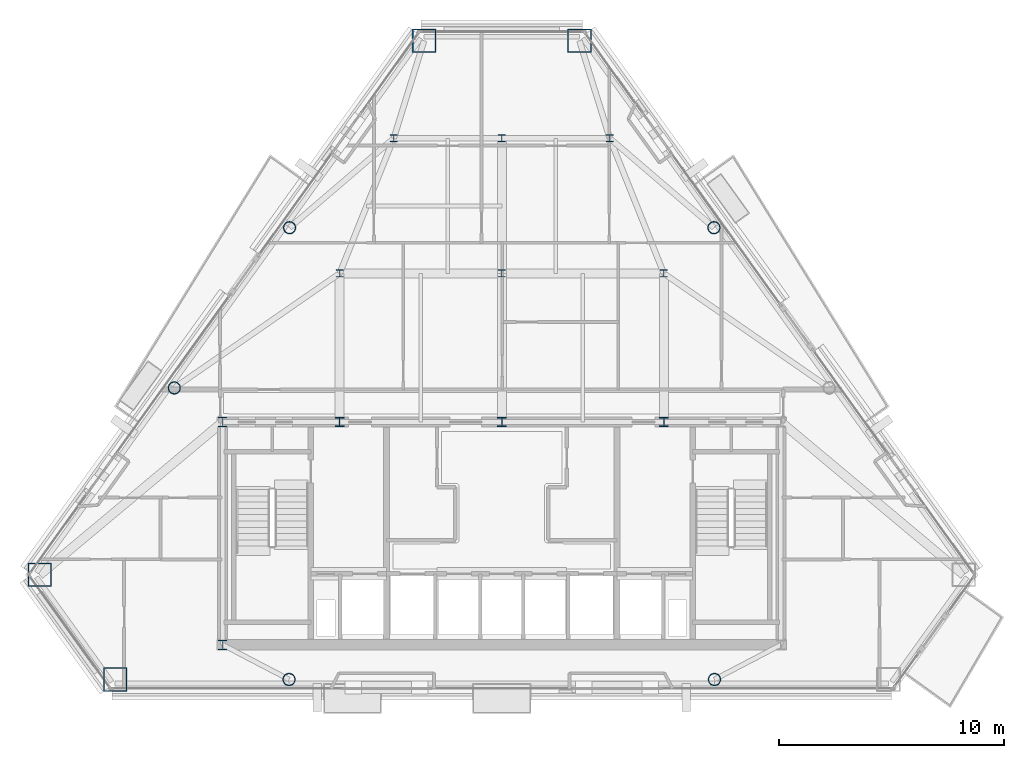
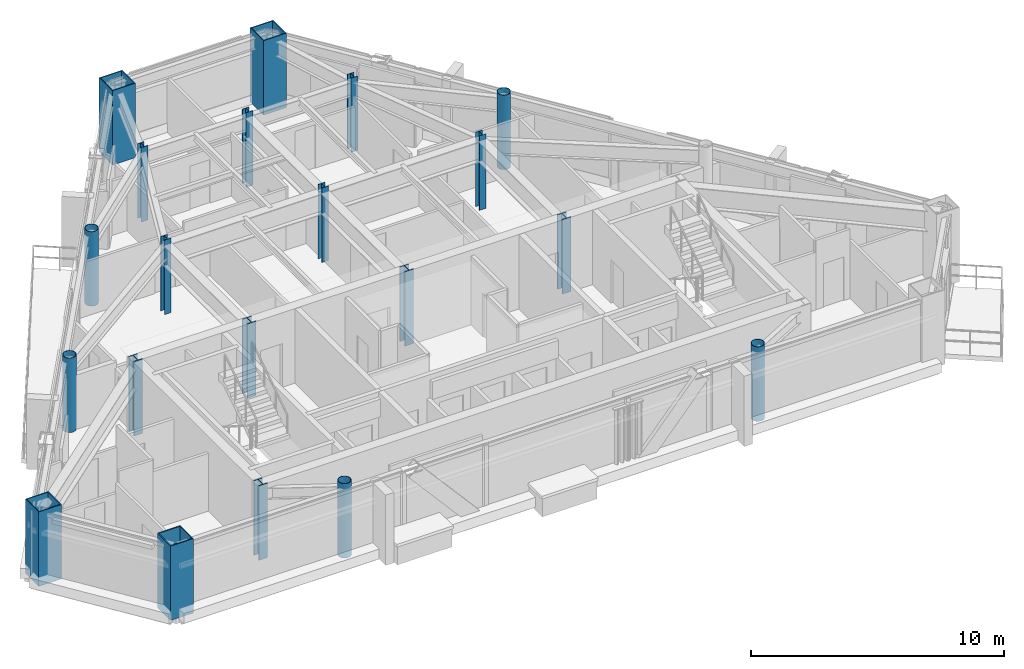
# One storey, part 1 of 12: 20 columns.
"""IFC4 building model written with IfcOpenShell, lengths in metres."""

from ifc_helpers import new_model, si_unit, direction, frame, origin, origin_2d, place, context, subcontext, project, spatial, hollow_rectangle, hollow_circle, i_section, extrude, material, material_profile, profile_set, type_object, element, save


model = new_model("IFC4")

# Units and contexts
model_context = context("Model", 3, precision=1e-05, world=origin(), true_north=direction((0.0, 1.0)))
body_context = subcontext(model_context, "Body", "Model", "MODEL_VIEW")
ifc_project = project(units=[si_unit("LENGTHUNIT", "METRE"), si_unit("AREAUNIT", "SQUARE_METRE"), si_unit("VOLUMEUNIT", "CUBIC_METRE"), si_unit("PLANEANGLEUNIT", "RADIAN"), si_unit("MASSUNIT", "GRAM", prefix="KILO")], contexts=[model_context])

# Site, building, storey
site_placement = place(None, origin())
site = spatial("IfcSite", under=ifc_project, at=site_placement, CompositionType="ELEMENT")
building_placement = place(site_placement, origin())
building = spatial("IfcBuilding", under=site, at=building_placement, Name="Talgorran Terracotta Tower", CompositionType="ELEMENT")
storey_placement = place(building_placement, frame((0.0, 0.0, 192.89990234375)))
storey = spatial("IfcBuildingStorey", under=building, at=storey_placement, Name="L50", CompositionType="ELEMENT", Elevation=192.89990234375)

# Columns
ifc_material_1 = material(Name="Steel S355 (300PLUS)", Category="steel")
ifc_material_profile_1 = material_profile(ifc_material_1, i_section(OverallWidth=0.306884765625, OverallDepth=0.314453125, WebThickness=0.011962890625, FlangeThickness=0.018798828125, at=origin_2d()), Name="310UC118")
ifc_profile_set_1 = profile_set([ifc_material_profile_1], Name="Steel S355 (300PLUS)")
column_type_1 = type_object("IfcColumnType", Name="COL_310UC118", PredefinedType="COLUMN", material=ifc_profile_set_1)
for number, where, z_axis, x_axis, name in (
    (1, (-7.199951171875, 2.39990234375, 0.0), (0.0, 0.0, 1.0), (1.0, 0.0, 0.0), "L50 Interior Gravity Column IC1"),
    (2, (0.0, 2.39990234375, 0.0), (0.0, 0.0, 1.0), (1.0, 0.0, 0.0), "L50 Interior Gravity Column IC2"),
    (3, (7.199951171875, 2.39990234375, 0.0), (0.0, 0.0, 1.0), (1.0, 0.0, 0.0), "L50 Interior Gravity Column IC3"),
    (4, (-4.800048828125, 8.39990234375, 0.0), (0.0, 0.0, 1.0), (1.0, 0.0, 0.0), "L50 Interior Gravity Column IC4"),
    (5, (0.0, 8.39990234375, 0.0), (0.0, 0.0, 1.0), (1.0, 0.0, 0.0), "L50 Interior Gravity Column IC5"),
    (6, (4.800048828125, 8.39990234375, 0.0), (0.0, 0.0, 1.0), (1.0, 0.0, 0.0), "L50 Interior Gravity Column IC6"),
):
    element("IfcColumn", number, at=place(storey_placement, frame(where, z_axis=z_axis, x_axis=x_axis)), inside=storey, type_object=column_type_1, Name=name, PredefinedType="COLUMN", context=body_context, shape_type="SweptSolid", body=[
        extrude(i_section(OverallWidth=0.306884765625, OverallDepth=0.314453125, WebThickness=0.011962890625, FlangeThickness=0.018798828125, at=origin_2d()), origin(), (0.0, 0.0, 1.0), 3.60009765625),
    ])
ifc_material_profile_2 = material_profile(ifc_material_1, i_section(OverallWidth=0.39990234375, OverallDepth=0.43994140625, WebThickness=0.028076171875, FlangeThickness=0.0400390625, at=origin_2d()), Name="400WC328")
ifc_profile_set_2 = profile_set([ifc_material_profile_2], Name="Steel S355 (300PLUS)")
column_type_2 = type_object("IfcColumnType", Name="COL_400WC328", PredefinedType="COLUMN", material=ifc_profile_set_2)
for number, where, z_axis, x_axis, name in (
    (7, (-12.39990234375, -14.10009765625, 0.0), (0.0, 0.0, 1.0), (1.0, 0.0, 0.0), "L50 Core Boundary Column CC1"),
    (8, (-12.39990234375, -4.199951171875, 0.0), (0.0, 0.0, 1.0), (1.0, 0.0, 0.0), "L50 Core Boundary Column CC4"),
):
    element("IfcColumn", number, at=place(storey_placement, frame(where, z_axis=z_axis, x_axis=x_axis)), inside=storey, type_object=column_type_2, Name=name, PredefinedType="COLUMN", context=body_context, shape_type="SweptSolid", body=[
        extrude(i_section(OverallWidth=0.39990234375, OverallDepth=0.43994140625, WebThickness=0.028076171875, FlangeThickness=0.0400390625, at=origin_2d()), origin(), (0.0, 0.0, 1.0), 3.60009765625),
    ])
ifc_material_2 = material(Name="Steel Grade 350 (350L0)", Category="steel")
ifc_material_profile_3 = material_profile(ifc_material_2, hollow_rectangle(XDim=1.050048828125, YDim=1.050048828125, WallThickness=0.044921875, at=origin_2d()), Name="CFT1050X1050X45")
ifc_profile_set_3 = profile_set([ifc_material_profile_3], Name="Steel Grade 350 (350L0)")
column_type_3 = type_object("IfcColumnType", Name="COL_CFT_1050", PredefinedType="COLUMN", material=ifc_profile_set_3)
for number, where, z_axis, x_axis, name in (
    (9, (-20.524169921875, -10.9921875, 0.0), (0.0, 0.0, 1.0), (1.0, 0.0, 0.0), "L50 Corner CFT Mega-Column MC1"),
    (10, (-17.1796875, -15.64111328125, 0.0), (0.0, 0.0, 1.0), (1.0, 0.0, 0.0), "L50 Corner CFT Mega-Column MC2"),
    (11, (3.4521484375, 12.73876953125, 0.0), (0.0, 0.0, 1.0), (1.0, 0.0, 0.0), "L50 Corner CFT Mega-Column MC5"),
    (12, (-3.4521484375, 12.73876953125, 0.0), (0.0, 0.0, 1.0), (1.0, 0.0, 0.0), "L50 Corner CFT Mega-Column MC6"),
):
    element("IfcColumn", number, at=place(storey_placement, frame(where, z_axis=z_axis, x_axis=x_axis)), inside=storey, type_object=column_type_3, Name=name, PredefinedType="COLUMN", context=body_context, shape_type="SweptSolid", body=[
        extrude(hollow_rectangle(XDim=1.050048828125, YDim=1.050048828125, WallThickness=0.044921875, at=origin_2d()), origin(), (0.0, 0.0, 1.0), 3.60009765625),
    ])
ifc_material_profile_4 = material_profile(ifc_material_2, hollow_circle(Radius=0.27490234375, WallThickness=0.02392578125, at=origin_2d()), Name="CHS550X24")
ifc_profile_set_4 = profile_set([ifc_material_profile_4], Name="Steel Grade 350 (350L0)")
column_type_4 = type_object("IfcColumnType", Name="COL_CHS_550", PredefinedType="COLUMN", material=ifc_profile_set_4)
for number, where, z_axis, x_axis, name in (
    (13, (-9.44873046875, -15.64111328125, 0.0), (0.0, 0.0, 1.0), (1.0, 0.0, 0.0), "L50 Facet Perimeter Column FC1"),
    (14, (9.44873046875, -15.64111328125, 0.0), (0.0, 0.0, 1.0), (1.0, 0.0, 0.0), "L50 Facet Perimeter Column FC2"),
    (15, (9.42724609375, 4.43310546875, 0.0), (0.0, 0.0, 1.0), (1.0, 0.0, 0.0), "L50 Facet Perimeter Column FC4"),
    (16, (-9.42724609375, 4.43310546875, 0.0), (0.0, 0.0, 1.0), (1.0, 0.0, 0.0), "L50 Facet Perimeter Column FC5"),
    (17, (-14.548828125, -2.686279296875, 0.0), (0.0, 0.0, 1.0), (1.0, 0.0, 0.0), "L50 Facet Perimeter Column FC6"),
):
    element("IfcColumn", number, at=place(storey_placement, frame(where, z_axis=z_axis, x_axis=x_axis)), inside=storey, type_object=column_type_4, Name=name, PredefinedType="COLUMN", context=body_context, shape_type="SweptSolid", body=[
        extrude(hollow_circle(Radius=0.27490234375, WallThickness=0.02392578125, at=origin_2d()), origin(), (0.0, 0.0, 1.0), 3.60009765625),
    ])
ifc_material_profile_5 = material_profile(ifc_material_1, i_section(OverallWidth=0.405029296875, OverallDepth=0.4140625, WebThickness=0.02197265625, FlangeThickness=0.031982421875, at=origin_2d()), Name="400WC270")
ifc_profile_set_5 = profile_set([ifc_material_profile_5], Name="Steel S355 (300PLUS)")
column_type_5 = type_object("IfcColumnType", Name="COL_PIL_400WC270", PredefinedType="PILASTER", material=ifc_profile_set_5)
for number, where, z_axis, x_axis, name in (
    (18, (-7.199951171875, -4.199951171875, 0.0), (0.0, 0.0, 1.0), (1.0, 0.0, 0.0), "L50 Core Shear Pilaster CP1"),
    (19, (0.0, -4.199951171875, 0.0), (0.0, 0.0, 1.0), (1.0, 0.0, 0.0), "L50 Core Shear Pilaster CP2"),
    (20, (7.199951171875, -4.199951171875, 0.0), (0.0, 0.0, 1.0), (1.0, 0.0, 0.0), "L50 Core Shear Pilaster CP3"),
):
    element("IfcColumn", number, at=place(storey_placement, frame(where, z_axis=z_axis, x_axis=x_axis)), inside=storey, type_object=column_type_5, Name=name, PredefinedType="PILASTER", context=body_context, shape_type="SweptSolid", body=[
        extrude(i_section(OverallWidth=0.405029296875, OverallDepth=0.4140625, WebThickness=0.02197265625, FlangeThickness=0.031982421875, at=origin_2d()), origin(), (0.0, 0.0, 1.0), 3.60009765625),
    ])

save(model, "model.ifc")
